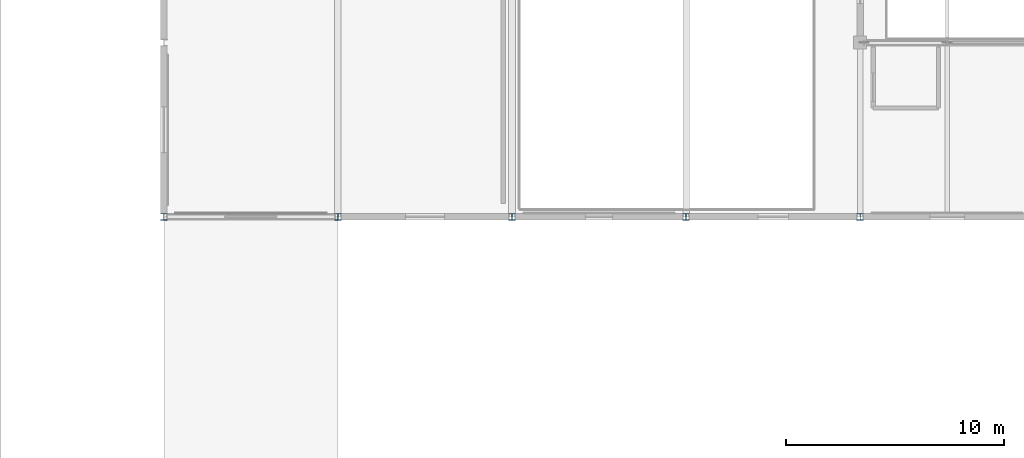
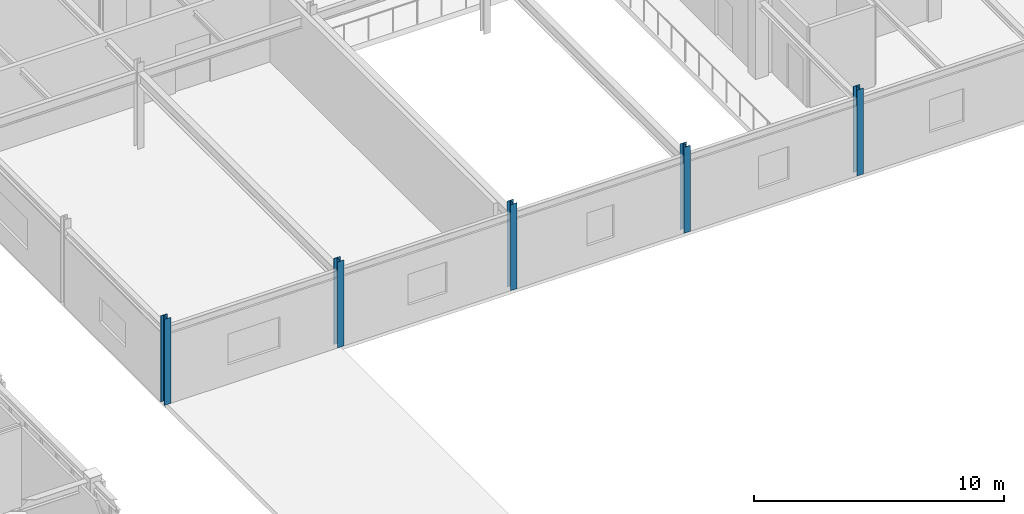
# One storey, part 2 of 88: 5 columns.
"""IFC4 building model written with IfcOpenShell, lengths in metres."""

from ifc_helpers import new_model, si_unit, direction, frame, origin, origin_2d, place, context, subcontext, project, spatial, i_section, extrude, material, material_profile, profile_set, type_object, element, save


model = new_model("IFC4")

# Units and contexts
model_context = context("Model", 3, precision=1e-05, world=origin(), true_north=direction((0.0, 1.0)))
body_context = subcontext(model_context, "Body", "Model", "MODEL_VIEW")
ifc_project = project(units=[si_unit("LENGTHUNIT", "METRE"), si_unit("AREAUNIT", "SQUARE_METRE"), si_unit("VOLUMEUNIT", "CUBIC_METRE"), si_unit("PLANEANGLEUNIT", "RADIAN"), si_unit("MASSUNIT", "GRAM", prefix="KILO")], contexts=[model_context])

# Site, building, storey
site_placement = place(None, origin())
site = spatial("IfcSite", under=ifc_project, at=site_placement, CompositionType="ELEMENT")
building_placement = place(site_placement, origin())
building = spatial("IfcBuilding", under=site, at=building_placement, Name="Zhaolan Boulevard Law Courts", CompositionType="ELEMENT")
storey_placement = place(building_placement, frame((0.0, 0.0, 16.199951171875)))
storey = spatial("IfcBuildingStorey", under=building, at=storey_placement, Name="L03", CompositionType="ELEMENT", Elevation=16.199951171875)

# Columns
ifc_material = material(Name="Structural steel Q355B", Category="steel")
ifc_material_profile = material_profile(ifc_material, i_section(OverallWidth=0.300048828125, OverallDepth=0.300048828125, WebThickness=0.010009765625, FlangeThickness=0.014892578125, FilletRadius=0.01806640625, at=origin_2d()), Name="HW300x300")
ifc_profile_set = profile_set([ifc_material_profile], Name="Structural steel Q355B")
column_type = type_object("IfcColumnType", Name="COL HW300", PredefinedType="COLUMN", material=ifc_profile_set)
for number, where, z_axis, x_axis, name in (
    (1, (52.0, 62.0, 0.0), (0.0, 0.0, 1.0), (1.0, 0.0, 0.0), "Column C-7J (L03)"),
    (2, (60.0, 62.0, 0.0), (0.0, 0.0, 1.0), (1.0, 0.0, 0.0), "Column C-8J (L03)"),
    (3, (68.0, 62.0, 0.0), (0.0, 0.0, 1.0), (1.0, 0.0, 0.0), "Column C-9J (L03)"),
    (4, (76.0, 62.0, 0.0), (0.0, 0.0, 1.0), (1.0, 0.0, 0.0), "Column C-10J (L03)"),
    (5, (84.0, 62.0, 0.0), (0.0, 0.0, 1.0), (1.0, 0.0, 0.0), "Column C-11J (L03)"),
):
    element("IfcColumn", number, at=place(storey_placement, frame(where, z_axis=z_axis, x_axis=x_axis)), inside=storey, type_object=column_type, Name=name, PredefinedType="COLUMN", context=body_context, shape_type="SweptSolid", body=[
        extrude(i_section(OverallWidth=0.300048828125, OverallDepth=0.300048828125, WebThickness=0.010009765625, FlangeThickness=0.014892578125, FilletRadius=0.01806640625, at=origin_2d()), origin(), (0.0, 0.0, 1.0), 4.199951171875),
    ])

save(model, "model.ifc")
